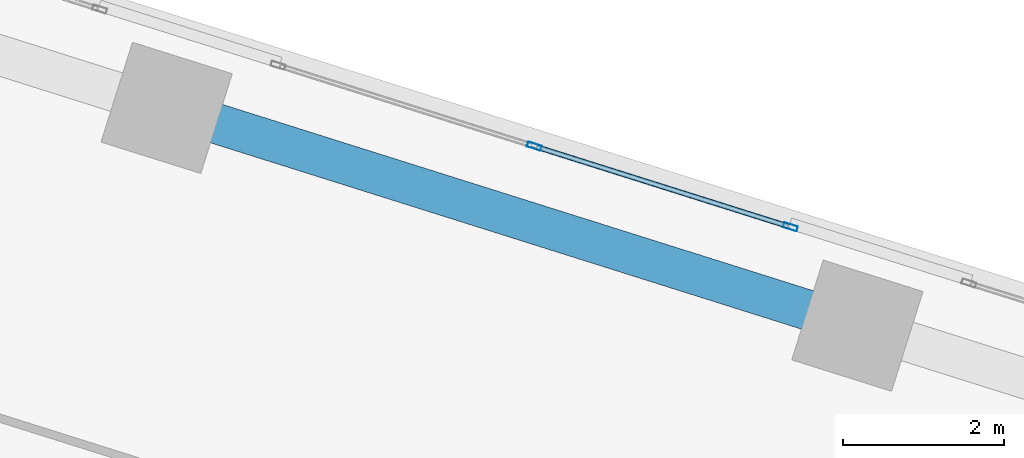
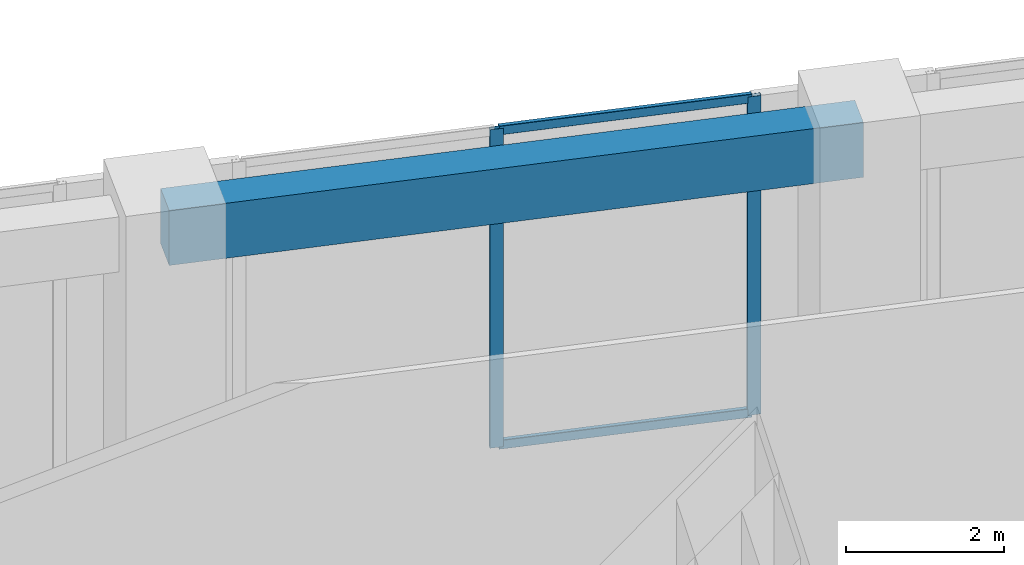
# One storey, part 15 of 28: 4 members, 1 beam, 1 element without a shape of its own.
"""IFC4 building model written with IfcOpenShell, lengths in metres."""

from ifc_helpers import new_model, si_unit, direction, frame, origin, origin_2d, place, context, subcontext, project, spatial, rectangle, hollow_rectangle, extrude, source, transform, mapped, material, material_profile, profile_set, type_object, element, aggregate, save


model = new_model("IFC4")

# Units and contexts
model_context = context("Model", 3, precision=1e-05, world=origin(), true_north=direction((0.0, 1.0)))
body_context = subcontext(model_context, "Body", "Model", "MODEL_VIEW")
ifc_project = project(units=[si_unit("LENGTHUNIT", "METRE"), si_unit("AREAUNIT", "SQUARE_METRE"), si_unit("VOLUMEUNIT", "CUBIC_METRE"), si_unit("PLANEANGLEUNIT", "RADIAN"), si_unit("MASSUNIT", "GRAM", prefix="KILO")], contexts=[model_context])

# Site, building, storey
site_placement = place(None, origin())
site = spatial("IfcSite", under=ifc_project, at=site_placement, CompositionType="ELEMENT")
building_placement = place(site_placement, origin())
building = spatial("IfcBuilding", under=site, at=building_placement, Name="Torre Montelarca", CompositionType="ELEMENT")
storey_placement = place(building_placement, frame((0.0, 0.0, 116.800048828125)))
storey = spatial("IfcBuildingStorey", under=building, at=storey_placement, Name="L26", CompositionType="ELEMENT", Elevation=116.800048828125)

# Beam
ifc_material_1 = material(Name="Concrete C55/67", Category="concrete")
ifc_material_profile_1 = material_profile(ifc_material_1, rectangle(XDim=0.5, YDim=0.85009765625, at=origin_2d()), Name="RCB500X850", Category="concrete")
ifc_profile_set_1 = profile_set([ifc_material_profile_1], Name="Concrete C55/67")
beam_type = type_object("IfcBeamType", Name="BM-SP-RC850-EXT", PredefinedType="SPANDREL", material=ifc_profile_set_1)
shared_shape_1 = source(origin(), body_context, "Body", "SweptSolid", [
    extrude(rectangle(XDim=0.5, YDim=0.85009765625, at=origin_2d()), origin(), (0.0, 0.0, 1.0), 8.999755859375),
])
beam_placement = place(storey_placement, frame((22.7177734375, 47.501220703125, 4.695068359375), z_axis=(0.953716635826, -0.300706798308, 0.0), x_axis=(0.300706798308, 0.953716635826, 0.0)))
element("IfcBeam", 1, at=beam_placement, inside=storey, type_object=beam_type, Name="L26 Grid Girder X 18.0-27.0 at Y=47.1", PredefinedType="SPANDREL", context=body_context, shape_type="MappedRepresentation", body=[
    mapped(shared_shape_1, transform((0.0, 0.0, 0.0), scale=1.0)),
])

# Curtain wall, members
ifc_material_2 = material(Name="Insulated low-E laminated glass", Category="glass")
curtain_wall_type = type_object("IfcCurtainWallType", Name="CW-SYS-Z1", PredefinedType="USERDEFINED", material=ifc_material_2)
curtain_wall_placement = place(storey_placement, origin())
curtain_wall = element("IfcCurtainWall", 2, at=curtain_wall_placement, inside=storey, type_object=curtain_wall_type, Name="L26 Curtain Wall Run CW-T3-L26-E08-B3", ObjectType="UNITISED GLAZING", PredefinedType="USERDEFINED")
ifc_material_3 = material(Name="Anodised aluminium AA 6063-T6", Category="aluminium")
ifc_material_profile_2 = material_profile(ifc_material_3, hollow_rectangle(XDim=0.06494140625, YDim=0.139892578125, WallThickness=0.00390625, InnerFilletRadius=0.00390625, OuterFilletRadius=0.008056640625, at=origin_2d()), Name="ALU65X140X4", Category="aluminium")
ifc_profile_set_2 = profile_set([ifc_material_profile_2], Name="Anodised aluminium AA 6063-T6")
member_type_1 = type_object("IfcMemberType", Name="CWT-ALU140", PredefinedType="USERDEFINED", material=ifc_profile_set_2)
shared_shape_2 = source(origin(), body_context, "Body", "SweptSolid", [
    extrude(hollow_rectangle(XDim=0.06494140625, YDim=0.139892578125, WallThickness=0.00390625, InnerFilletRadius=0.00390625, OuterFilletRadius=0.008056640625, at=origin_2d()), origin(), (0.0, 0.0, 1.0), 3.272216796875),
])
member_1_placement = place(storey_placement, frame((30.43798828125, 46.03173828125, 0.032470703125), z_axis=(-0.953726887377, 0.300674282729, 0.0), x_axis=(-0.300674282729, -0.953726887377, 0.0)))
member_1 = element("IfcMember", 3, at=member_1_placement, type_object=member_type_1, Name="CW transom 1.1", ObjectType="TRANSOM", PredefinedType="USERDEFINED", context=body_context, shape_type="MappedRepresentation", body=[
    mapped(shared_shape_2, transform((0.0, 0.0, 0.0), scale=1.0)),
])
member_2_placement = place(storey_placement, frame((30.43798828125, 46.03173828125, 4.887451171875), z_axis=(-0.953726887377, 0.300674282729, 0.0), x_axis=(-0.300674282729, -0.953726887377, 0.0)))
member_2 = element("IfcMember", 4, at=member_2_placement, type_object=member_type_1, Name="CW transom 1.2", ObjectType="TRANSOM", PredefinedType="USERDEFINED", context=body_context, shape_type="MappedRepresentation", body=[
    mapped(shared_shape_2, transform((0.0, 0.0, 0.0), scale=1.0)),
])
ifc_material_profile_3 = material_profile(ifc_material_3, hollow_rectangle(XDim=0.06494140625, YDim=0.179931640625, WallThickness=0.00390625, InnerFilletRadius=0.00390625, OuterFilletRadius=0.008056640625, at=origin_2d()), Name="ALU65X180X4", Category="aluminium")
ifc_profile_set_3 = profile_set([ifc_material_profile_3], Name="Anodised aluminium AA 6063-T6")
member_type_2 = type_object("IfcMemberType", Name="CWM-ALU180", PredefinedType="MULLION", material=ifc_profile_set_3)
shared_shape_3 = source(origin(), body_context, "Body", "SweptSolid", [
    extrude(hollow_rectangle(XDim=0.06494140625, YDim=0.179931640625, WallThickness=0.00390625, InnerFilletRadius=0.00390625, OuterFilletRadius=0.008056640625, at=origin_2d()), origin(), (0.0, 0.0, 1.0), 4.919921875),
])
member_3_placement = place(storey_placement, frame((30.468994140625, 46.02197265625, 0.0), z_axis=(0.0, 0.0, 1.0), x_axis=(-0.300709558589, -0.953715765505, 0.0)))
member_3 = element("IfcMember", 5, at=member_3_placement, type_object=member_type_2, Name="CW mullion 1", PredefinedType="MULLION", context=body_context, shape_type="MappedRepresentation", body=[
    mapped(shared_shape_3, transform((0.0, 0.0, 0.0), scale=1.0)),
])
member_4_placement = place(storey_placement, frame((27.2861328125, 47.025390625, 0.0), z_axis=(0.0, 0.0, 1.0), x_axis=(-0.300709558589, -0.953715765505, 0.0)))
member_4 = element("IfcMember", 6, at=member_4_placement, type_object=member_type_2, Name="CW mullion 2", PredefinedType="MULLION", context=body_context, shape_type="MappedRepresentation", body=[
    mapped(shared_shape_3, transform((0.0, 0.0, 0.0), scale=1.0)),
])
aggregate(curtain_wall, [member_3, member_4, member_1, member_2])

save(model, "model.ifc")
